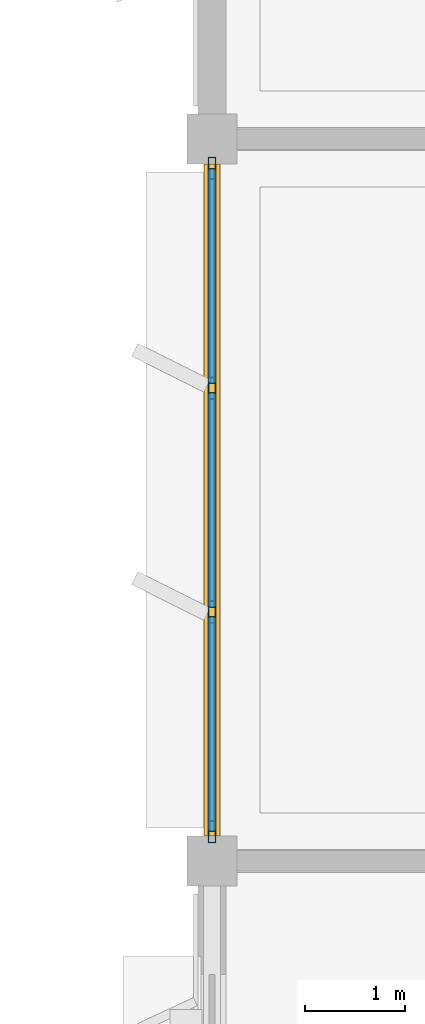
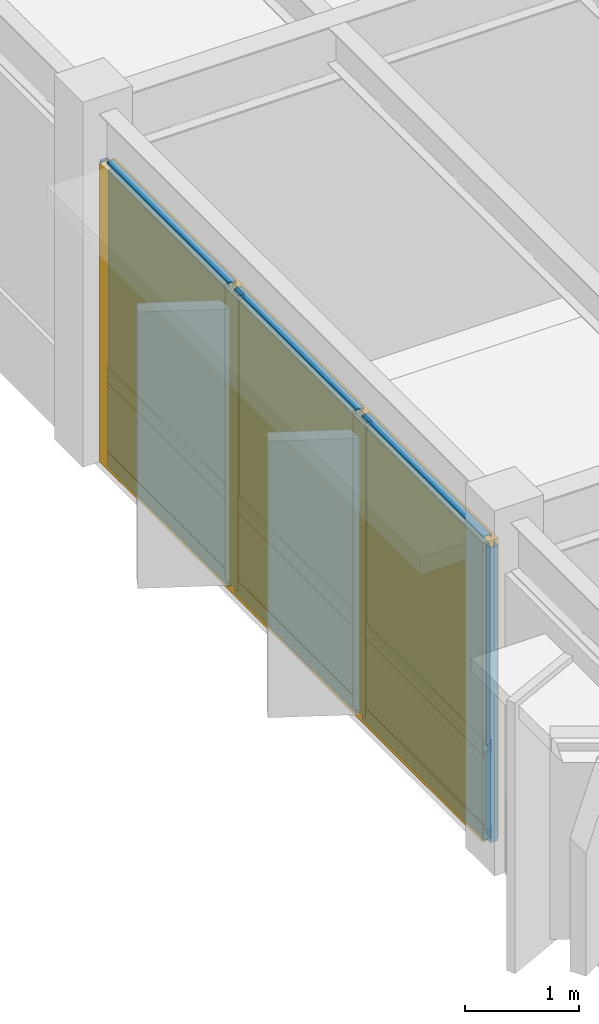
# One storey, part 58 of 82: 13 members, 6 plates, 1 curtain wall.
"""IFC4 building model written with IfcOpenShell, lengths in metres."""

import ifcopenshell
import ifcopenshell.guid

model = None  # the IFC model being written
_history = None  # IfcOwnerHistory: only IFC2X3 demands one
_inside = {}  # id of a spatial element -> (the spatial element, [elements in it])
_under = {}  # id of a project, library or spatial element -> (it, [spatial elements below it])
_declared = {}  # id of a project -> (the project, [libraries it declares])
_typed = {}  # id of a type object -> (the type object, [elements of that type])
_made_of = {}  # id of a material, layer set ... -> (it, [elements and type objects made of it])


def new_model(schema):
    """Start an empty IFC model of exactly this schema.

    Asked for "IFC4X3", IfcOpenShell would pick the latest addendum, in which some entities
    have other attributes; the version numbers below select the first issue.
    IFC2X3 requires an IfcOwnerHistory on every rooted entity: one is made here for all.
    """
    global model, _history
    if schema == "IFC4X3":
        model = ifcopenshell.file(schema_version=(4, 3, 0, 0))
    else:
        model = ifcopenshell.file(schema=schema)
    _inside.clear()
    _under.clear()
    _declared.clear()
    _typed.clear()
    _made_of.clear()
    _history = None
    if model.schema == "IFC2X3":
        org = make("IfcOrganization", Name="unknown")
        user = make(
            "IfcPersonAndOrganization",
            ThePerson=make("IfcPerson", FamilyName="unknown"),
            TheOrganization=org,
        )
        app = make(
            "IfcApplication",
            ApplicationDeveloper=org,
            Version="unknown",
            ApplicationFullName="unknown",
            ApplicationIdentifier="unknown",
        )
        _history = make(
            "IfcOwnerHistory",
            OwningUser=user,
            OwningApplication=app,
            ChangeAction="ADDED",
            CreationDate=0,
        )
    return model


def make(cls, **values):
    """One entity of the class cls with the attributes given. An attribute that is None is left unset."""
    return model.create_entity(
        cls, **{name: value for name, value in values.items() if value is not None}
    )


def rooted(cls, **values):
    """An entity with a GlobalId (a new one), such as an element, a storey or a relation."""
    return make(cls, GlobalId=ifcopenshell.guid.new(), OwnerHistory=_history, **values)


def si_unit(unit_type, name, prefix=None):
    """IfcSIUnit, for example si_unit("LENGTHUNIT", "METRE", prefix="MILLI")."""
    return make("IfcSIUnit", UnitType=unit_type, Prefix=prefix, Name=name)


def assignment(units):
    """IfcUnitAssignment: the units of a project."""
    return None if units is None else make("IfcUnitAssignment", Units=units)


def point(xyz):
    """IfcCartesianPoint."""
    return None if xyz is None else make("IfcCartesianPoint", Coordinates=xyz)


def direction(xyz):
    """IfcDirection."""
    return None if xyz is None else make("IfcDirection", DirectionRatios=xyz)


def frame(location, z_axis=None, x_axis=None):
    """IfcAxis2Placement3D, a coordinate frame: its origin and axes. An axis left out is left unset."""
    return make(
        "IfcAxis2Placement3D",
        Location=point(location),
        Axis=direction(z_axis),
        RefDirection=direction(x_axis),
    )


def frame_2d(location, x_axis=None):
    """IfcAxis2Placement2D, a coordinate frame in the plane: its origin and x axis."""
    return make(
        "IfcAxis2Placement2D", Location=point(location), RefDirection=direction(x_axis)
    )


def origin():
    """The frame at (0, 0, 0) with its axes left unset."""
    return frame((0.0, 0.0, 0.0))


def origin_2d():
    """The frame at (0, 0) in the plane with its x axis left unset."""
    return frame_2d((0.0, 0.0))


def place(relative_to, where):
    """IfcLocalPlacement: puts the frame where relative to a parent placement (None: the world)."""
    return make(
        "IfcLocalPlacement", PlacementRelTo=relative_to, RelativePlacement=where
    )


def context(
    kind, dimensions, precision=None, world=None, true_north=None, identifier=None
):
    """IfcGeometricRepresentationContext, for example the 3D "Model" context."""
    return make(
        "IfcGeometricRepresentationContext",
        ContextIdentifier=identifier,
        ContextType=kind,
        CoordinateSpaceDimension=dimensions,
        Precision=precision,
        WorldCoordinateSystem=world,
        TrueNorth=true_north,
    )


def subcontext(parent, identifier, kind, view, scale=None):
    """IfcGeometricRepresentationSubContext, for example "Body" below "Model"."""
    return make(
        "IfcGeometricRepresentationSubContext",
        ContextIdentifier=identifier,
        ContextType=kind,
        ParentContext=parent,
        TargetScale=scale,
        TargetView=view,
    )


def project(units=None, contexts=None):
    """IfcProject with its units and contexts."""
    return rooted(
        "IfcProject",
        Name="project",
        RepresentationContexts=contexts,
        UnitsInContext=assignment(units),
    )


def spatial(cls, under=None, at=None, **own):
    """A site, building, storey or space (cls), placed at a placement, below another one or the project."""
    s = rooted(cls, ObjectPlacement=at, **own)
    if under is not None:
        _under.setdefault(under.id(), (under, []))[1].append(s)
    return s


def profile(cls, at=None, kind="AREA", **sizes):
    """A parametric profile (cls). Its sizes go by their IFC names, for example OverallWidth=200.0."""
    return make(cls, ProfileType=kind, Position=at, **sizes)


def rectangle(**sizes):
    """IfcRectangleProfileDef."""
    return profile("IfcRectangleProfileDef", **sizes)


def hollow_rectangle(**sizes):
    """IfcRectangleHollowProfileDef."""
    return profile("IfcRectangleHollowProfileDef", **sizes)


def extrude(swept, where, along, depth):
    """IfcExtrudedAreaSolid: the profile swept, set in the frame where, extruded along a direction by depth."""
    return make(
        "IfcExtrudedAreaSolid",
        SweptArea=swept,
        Position=where,
        ExtrudedDirection=direction(along),
        Depth=depth,
    )


def shape(context_of_items, identifier, shape_type, items):
    """IfcShapeRepresentation: the items that make up one representation, for example the "Body"."""
    return make(
        "IfcShapeRepresentation",
        ContextOfItems=context_of_items,
        RepresentationIdentifier=identifier,
        RepresentationType=shape_type,
        Items=items,
    )


def material(Name=None, Category=None):
    """IfcMaterial."""
    return make("IfcMaterial", Name=Name, Category=Category)


def layer(
    of_material, thickness, ventilated=None, Name=None, Category=None, Priority=None
):
    """IfcMaterialLayer: one layer of a wall or slab, of a material (None: an air gap)."""
    return make(
        "IfcMaterialLayer",
        Material=of_material,
        LayerThickness=thickness,
        IsVentilated=ventilated,
        Name=Name,
        Category=Category,
        Priority=Priority,
    )


def layer_set(layers, Name=None):
    """IfcMaterialLayerSet."""
    return make("IfcMaterialLayerSet", MaterialLayers=layers, LayerSetName=Name)


def material_profile(
    of_material, cross_section, Name=None, Category=None, Priority=None
):
    """IfcMaterialProfile: a cross section and its material."""
    return make(
        "IfcMaterialProfile",
        Name=Name,
        Material=of_material,
        Profile=cross_section,
        Priority=Priority,
        Category=Category,
    )


def profile_set(profiles, Name=None, composite=None):
    """IfcMaterialProfileSet."""
    return make(
        "IfcMaterialProfileSet",
        Name=Name,
        MaterialProfiles=profiles,
        CompositeProfile=composite,
    )


def made_of(thing, what):
    """Note that an element or type object is made of a material, layer set ...; save() writes the relation."""
    if what is not None:
        _made_of.setdefault(what.id(), (what, []))[1].append(thing)
    return thing


def type_object(cls, material=None, **own):
    """A type object (cls), such as IfcWallType, which elements share."""
    return made_of(rooted(cls, **own), material)


def element(
    cls,
    number,
    at=None,
    inside=None,
    cuts=None,
    type_object=None,
    material=None,
    context=None,
    identifier="Body",
    shape_type=None,
    held_by="IfcProductDefinitionShape",
    body=None,
    shapes=None,
    **own,
):
    """One element of the class cls, such as IfcWall. Its Tag is "e" and its number.

    at: its placement. inside: the storey or other place that contains it. cuts: it is an
    opening in that element (IfcRelVoidsElement). A single representation is given by context,
    identifier, shape_type and body (its items); several are given by shapes. held_by: the class
    of the entity that holds the representations. save() writes the other relations.
    """
    e = rooted(cls, Tag="e%d" % number, ObjectPlacement=at, **own)
    if body is not None:
        shapes = [shape(context, identifier, shape_type, body)]
    if shapes is not None:
        e.Representation = make(held_by, Representations=shapes)
    if inside is not None:
        _inside.setdefault(inside.id(), (inside, []))[1].append(e)
    if cuts is not None:
        rooted(
            "IfcRelVoidsElement", RelatingBuildingElement=cuts, RelatedOpeningElement=e
        )
    if type_object is not None:
        _typed.setdefault(type_object.id(), (type_object, []))[1].append(e)
    return made_of(e, material)


def aggregate(whole, parts):
    """IfcRelAggregates: a whole, such as a stair, and the parts it consists of."""
    return rooted("IfcRelAggregates", RelatingObject=whole, RelatedObjects=parts)


def save(model, path):
    """Write the relations noted so far, then the file.

    IfcRelAggregates (storeys below a building ...), IfcRelContainedInSpatialStructure (elements
    in a storey), IfcRelDefinesByType, IfcRelAssociatesMaterial and IfcRelDeclares: one each for
    every whole, place, type object, material and project.
    """
    for whole, parts in _under.values():
        aggregate(whole, parts)
    for where, things in _inside.values():
        rooted(
            "IfcRelContainedInSpatialStructure",
            RelatedElements=things,
            RelatingStructure=where,
        )
    for kind, things in _typed.values():
        rooted("IfcRelDefinesByType", RelatedObjects=things, RelatingType=kind)
    for what, things in _made_of.values():
        rooted("IfcRelAssociatesMaterial", RelatedObjects=things, RelatingMaterial=what)
    for by, libraries in _declared.values():
        rooted("IfcRelDeclares", RelatingContext=by, RelatedDefinitions=libraries)
    model.write(path)


model = new_model("IFC4")

# Units and contexts
model_context = context("Model", 3, precision=1e-05, world=origin(), true_north=direction((0.0, 1.0)))
body_context = subcontext(model_context, "Body", "Model", "MODEL_VIEW")
ifc_project = project(units=[si_unit("LENGTHUNIT", "METRE"), si_unit("AREAUNIT", "SQUARE_METRE"), si_unit("VOLUMEUNIT", "CUBIC_METRE"), si_unit("PLANEANGLEUNIT", "RADIAN"), si_unit("MASSUNIT", "GRAM", prefix="KILO")], contexts=[model_context])

# Member
ifc_material_1 = material(Name="Anodized Aluminium 6063-T6", Category="aluminium")
ifc_material_profile_1 = material_profile(ifc_material_1, hollow_rectangle(XDim=0.074951171875, YDim=0.219970703125, WallThickness=0.0048828125, at=origin_2d()), Name="ALU 75x220x5")
ifc_profile_set_1 = profile_set([ifc_material_profile_1], Name="Anodized Aluminium 6063-T6")
member_type_1 = type_object("IfcMemberType", Name="CWM-75X180", PredefinedType="MULLION", material=ifc_profile_set_1)
site_placement = place(None, origin())
building_placement = place(site_placement, origin())
storey_placement = place(building_placement, frame((0.0, 0.0, 14.10009765625)))
member_1_placement = place(storey_placement, frame((43.199951171875, 101.090087890625, 0.02001953125), z_axis=(0.0, 0.0, 1.0), x_axis=(1.0, 0.0, 0.0)))
member_1 = element("IfcMember", 1, at=member_1_placement, type_object=member_type_1, Name="Curtain wall mullion CW-L04-06-14-W-00", PredefinedType="MULLION", context=body_context, shape_type="SweptSolid", body=[
    extrude(hollow_rectangle(XDim=0.074951171875, YDim=0.219970703125, WallThickness=0.0048828125, at=origin_2d()), origin(), (0.0, 0.0, 1.0), 3.15185546875),
])

member_2_placement = place(storey_placement, frame((43.199951171875, 103.283203125, 0.02001953125), z_axis=(0.0, 0.0, 1.0), x_axis=(1.0, 0.0, 0.0)))
member_2 = element("IfcMember", 2, at=member_2_placement, type_object=member_type_1, Name="Curtain wall mullion CW-L04-06-14-W-01", PredefinedType="MULLION", context=body_context, shape_type="SweptSolid", body=[
    extrude(hollow_rectangle(XDim=0.074951171875, YDim=0.219970703125, WallThickness=0.0048828125, at=origin_2d()), origin(), (0.0, 0.0, 1.0), 3.15185546875),
])

member_3_placement = place(storey_placement, frame((43.199951171875, 105.5166015625, 0.02001953125), z_axis=(0.0, 0.0, 1.0), x_axis=(1.0, 0.0, 0.0)))
member_3 = element("IfcMember", 3, at=member_3_placement, type_object=member_type_1, Name="Curtain wall mullion CW-L04-06-14-W-02", PredefinedType="MULLION", context=body_context, shape_type="SweptSolid", body=[
    extrude(hollow_rectangle(XDim=0.074951171875, YDim=0.219970703125, WallThickness=0.0048828125, at=origin_2d()), origin(), (0.0, 0.0, 1.0), 3.15185546875),
])

member_4_placement = place(storey_placement, frame((43.199951171875, 107.7099609375, 0.02001953125), z_axis=(0.0, 0.0, 1.0), x_axis=(1.0, 0.0, 0.0)))
member_4 = element("IfcMember", 4, at=member_4_placement, type_object=member_type_1, Name="Curtain wall mullion CW-L04-06-14-W-03", PredefinedType="MULLION", context=body_context, shape_type="SweptSolid", body=[
    extrude(hollow_rectangle(XDim=0.074951171875, YDim=0.219970703125, WallThickness=0.0048828125, at=origin_2d()), origin(), (0.0, 0.0, 1.0), 3.15185546875),
])

ifc_material_profile_2 = material_profile(ifc_material_1, hollow_rectangle(XDim=0.074951171875, YDim=0.159912109375, WallThickness=0.00390625, at=origin_2d()), Name="ALU 75x160x4")
ifc_profile_set_2 = profile_set([ifc_material_profile_2], Name="Anodized Aluminium 6063-T6")
member_type_2 = type_object("IfcMemberType", Name="CWT-75X150", PredefinedType="USERDEFINED", material=ifc_profile_set_2)
member_5_placement = place(storey_placement, frame((43.199951171875, 101.10009765625, 0.0498046875), z_axis=(0.0, 1.0, 0.0), x_axis=(-1.0, 0.0, 0.0)))
member_5 = element("IfcMember", 5, at=member_5_placement, type_object=member_type_2, Name="Curtain wall transom CW-L04-06-14-W-1.01", ObjectType="TRANSOM", PredefinedType="USERDEFINED", context=body_context, shape_type="SweptSolid", body=[
    extrude(hollow_rectangle(XDim=0.074951171875, YDim=0.159912109375, WallThickness=0.00390625, at=origin_2d()), origin(), (0.0, 0.0, 1.0), 2.13330078125),
])

member_6_placement = place(storey_placement, frame((43.199951171875, 103.333251953125, 0.0498046875), z_axis=(0.0, 1.0, 0.0), x_axis=(-1.0, 0.0, 0.0)))
member_6 = element("IfcMember", 6, at=member_6_placement, type_object=member_type_2, Name="Curtain wall transom CW-L04-06-14-W-1.02", ObjectType="TRANSOM", PredefinedType="USERDEFINED", context=body_context, shape_type="SweptSolid", body=[
    extrude(hollow_rectangle(XDim=0.074951171875, YDim=0.159912109375, WallThickness=0.00390625, at=origin_2d()), origin(), (0.0, 0.0, 1.0), 2.133544921875),
])

member_7_placement = place(storey_placement, frame((43.199951171875, 105.566650390625, 0.0498046875), z_axis=(0.0, 1.0, 0.0), x_axis=(-1.0, 0.0, 0.0)))
member_7 = element("IfcMember", 7, at=member_7_placement, type_object=member_type_2, Name="Curtain wall transom CW-L04-06-14-W-1.03", ObjectType="TRANSOM", PredefinedType="USERDEFINED", context=body_context, shape_type="SweptSolid", body=[
    extrude(hollow_rectangle(XDim=0.074951171875, YDim=0.159912109375, WallThickness=0.00390625, at=origin_2d()), origin(), (0.0, 0.0, 1.0), 2.13330078125),
])

member_8_placement = place(storey_placement, frame((43.199951171875, 101.10009765625, 0.949951171875), z_axis=(0.0, 1.0, 0.0), x_axis=(-1.0, 0.0, 0.0)))
member_8 = element("IfcMember", 8, at=member_8_placement, type_object=member_type_2, Name="Curtain wall transom CW-L04-06-14-W-2.01", ObjectType="TRANSOM", PredefinedType="USERDEFINED", context=body_context, shape_type="SweptSolid", body=[
    extrude(hollow_rectangle(XDim=0.074951171875, YDim=0.159912109375, WallThickness=0.00390625, at=origin_2d()), origin(), (0.0, 0.0, 1.0), 2.13330078125),
])

member_9_placement = place(storey_placement, frame((43.199951171875, 103.333251953125, 0.949951171875), z_axis=(0.0, 1.0, 0.0), x_axis=(-1.0, 0.0, 0.0)))
member_9 = element("IfcMember", 9, at=member_9_placement, type_object=member_type_2, Name="Curtain wall transom CW-L04-06-14-W-2.02", ObjectType="TRANSOM", PredefinedType="USERDEFINED", context=body_context, shape_type="SweptSolid", body=[
    extrude(hollow_rectangle(XDim=0.074951171875, YDim=0.159912109375, WallThickness=0.00390625, at=origin_2d()), origin(), (0.0, 0.0, 1.0), 2.133544921875),
])

member_10_placement = place(storey_placement, frame((43.199951171875, 105.566650390625, 0.949951171875), z_axis=(0.0, 1.0, 0.0), x_axis=(-1.0, 0.0, 0.0)))
member_10 = element("IfcMember", 10, at=member_10_placement, type_object=member_type_2, Name="Curtain wall transom CW-L04-06-14-W-2.03", ObjectType="TRANSOM", PredefinedType="USERDEFINED", context=body_context, shape_type="SweptSolid", body=[
    extrude(hollow_rectangle(XDim=0.074951171875, YDim=0.159912109375, WallThickness=0.00390625, at=origin_2d()), origin(), (0.0, 0.0, 1.0), 2.13330078125),
])

member_11_placement = place(storey_placement, frame((43.199951171875, 101.10009765625, 3.141845703125), z_axis=(0.0, 1.0, 0.0), x_axis=(-1.0, 0.0, 0.0)))
member_11 = element("IfcMember", 11, at=member_11_placement, type_object=member_type_2, Name="Curtain wall transom CW-L04-06-14-W-3.01", ObjectType="TRANSOM", PredefinedType="USERDEFINED", context=body_context, shape_type="SweptSolid", body=[
    extrude(hollow_rectangle(XDim=0.074951171875, YDim=0.159912109375, WallThickness=0.00390625, at=origin_2d()), origin(), (0.0, 0.0, 1.0), 2.13330078125),
])

member_12_placement = place(storey_placement, frame((43.199951171875, 103.333251953125, 3.141845703125), z_axis=(0.0, 1.0, 0.0), x_axis=(-1.0, 0.0, 0.0)))
member_12 = element("IfcMember", 12, at=member_12_placement, type_object=member_type_2, Name="Curtain wall transom CW-L04-06-14-W-3.02", ObjectType="TRANSOM", PredefinedType="USERDEFINED", context=body_context, shape_type="SweptSolid", body=[
    extrude(hollow_rectangle(XDim=0.074951171875, YDim=0.159912109375, WallThickness=0.00390625, at=origin_2d()), origin(), (0.0, 0.0, 1.0), 2.133544921875),
])

member_13_placement = place(storey_placement, frame((43.199951171875, 105.566650390625, 3.141845703125), z_axis=(0.0, 1.0, 0.0), x_axis=(-1.0, 0.0, 0.0)))
member_13 = element("IfcMember", 13, at=member_13_placement, type_object=member_type_2, Name="Curtain wall transom CW-L04-06-14-W-3.03", ObjectType="TRANSOM", PredefinedType="USERDEFINED", context=body_context, shape_type="SweptSolid", body=[
    extrude(hollow_rectangle(XDim=0.074951171875, YDim=0.159912109375, WallThickness=0.00390625, at=origin_2d()), origin(), (0.0, 0.0, 1.0), 2.13330078125),
])

# Plate
ifc_material_2 = material(Name="Acoustic Laminated Low-E Glazing", Category="glass")
ifc_layer_1 = layer(ifc_material_2, 0.0439453125)
ifc_layer_set_1 = layer_set([ifc_layer_1], Name="Acoustic Laminated Low-E Glazing")
plate_type_1 = type_object("IfcPlateType", Name="CWP-IGU-44", PredefinedType="CURTAIN_PANEL", material=ifc_layer_set_1)
plate_1_placement = place(storey_placement, frame((43.199951171875, 102.166748046875, 0.98974609375), z_axis=(0.0, 0.0, 1.0), x_axis=(0.0, 1.0, 0.0)))
plate_1 = element("IfcPlate", 14, at=plate_1_placement, type_object=plate_type_1, Name="Curtain wall vision glazing CW-L04-06-14-W-01", PredefinedType="CURTAIN_PANEL", context=body_context, shape_type="SweptSolid", body=[
    extrude(rectangle(XDim=2.143310546875, YDim=0.0400390625, at=origin_2d()), origin(), (0.0, 0.0, 1.0), 2.14208984375),
])

plate_2_placement = place(storey_placement, frame((43.199951171875, 104.39990234375, 0.98974609375), z_axis=(0.0, 0.0, 1.0), x_axis=(0.0, 1.0, 0.0)))
plate_2 = element("IfcPlate", 15, at=plate_2_placement, type_object=plate_type_1, Name="Curtain wall vision glazing CW-L04-06-14-W-02", PredefinedType="CURTAIN_PANEL", context=body_context, shape_type="SweptSolid", body=[
    extrude(rectangle(XDim=2.143310546875, YDim=0.0400390625, at=origin_2d()), origin(), (0.0, 0.0, 1.0), 2.14208984375),
])

plate_3_placement = place(storey_placement, frame((43.199951171875, 106.63330078125, 0.98974609375), z_axis=(0.0, 0.0, 1.0), x_axis=(0.0, 1.0, 0.0)))
plate_3 = element("IfcPlate", 16, at=plate_3_placement, type_object=plate_type_1, Name="Curtain wall vision glazing CW-L04-06-14-W-03", PredefinedType="CURTAIN_PANEL", context=body_context, shape_type="SweptSolid", body=[
    extrude(rectangle(XDim=2.143310546875, YDim=0.0400390625, at=origin_2d()), origin(), (0.0, 0.0, 1.0), 2.14208984375),
])

ifc_material_3 = material(Name="Insulated Stone-Composite Spandrel", Category="masonry")
ifc_layer_2 = layer(ifc_material_3, 0.068115234375)
ifc_layer_set_2 = layer_set([ifc_layer_2], Name="Insulated Stone-Composite Spandrel")
plate_type_2 = type_object("IfcPlateType", Name="CWP-SPN-68", PredefinedType="CURTAIN_PANEL", material=ifc_layer_set_2)
plate_4_placement = place(storey_placement, frame((43.199951171875, 102.166748046875, 0.080078125), z_axis=(0.0, 0.0, 1.0), x_axis=(0.0, 1.0, 0.0)))
plate_4 = element("IfcPlate", 17, at=plate_4_placement, type_object=plate_type_2, Name="Curtain wall spandrel panel CW-L04-06-14-W-01", PredefinedType="CURTAIN_PANEL", context=body_context, shape_type="SweptSolid", body=[
    extrude(rectangle(XDim=2.143310546875, YDim=0.06005859375, at=origin_2d()), origin(), (0.0, 0.0, 1.0), 0.840087890625),
])

plate_5_placement = place(storey_placement, frame((43.199951171875, 104.39990234375, 0.080078125), z_axis=(0.0, 0.0, 1.0), x_axis=(0.0, 1.0, 0.0)))
plate_5 = element("IfcPlate", 18, at=plate_5_placement, type_object=plate_type_2, Name="Curtain wall spandrel panel CW-L04-06-14-W-02", PredefinedType="CURTAIN_PANEL", context=body_context, shape_type="SweptSolid", body=[
    extrude(rectangle(XDim=2.143310546875, YDim=0.06005859375, at=origin_2d()), origin(), (0.0, 0.0, 1.0), 0.840087890625),
])

plate_6_placement = place(storey_placement, frame((43.199951171875, 106.63330078125, 0.080078125), z_axis=(0.0, 0.0, 1.0), x_axis=(0.0, 1.0, 0.0)))
plate_6 = element("IfcPlate", 19, at=plate_6_placement, type_object=plate_type_2, Name="Curtain wall spandrel panel CW-L04-06-14-W-03", PredefinedType="CURTAIN_PANEL", context=body_context, shape_type="SweptSolid", body=[
    extrude(rectangle(XDim=2.143310546875, YDim=0.06005859375, at=origin_2d()), origin(), (0.0, 0.0, 1.0), 0.840087890625),
])

# Site, building, storey
site = spatial("IfcSite", under=ifc_project, at=site_placement, CompositionType="ELEMENT")
building = spatial("IfcBuilding", under=site, at=building_placement, Name="Sillqori Civic Hall", CompositionType="ELEMENT")
storey = spatial("IfcBuildingStorey", under=building, at=storey_placement, Name="L04", CompositionType="ELEMENT", Elevation=14.10009765625)

# Curtain wall
ifc_material_4 = material(Name="Anodized Aluminium Curtain Wall System", Category="aluminium")
curtain_wall_type = type_object("IfcCurtainWallType", Name="CW-AD-370", PredefinedType="NOTDEFINED", material=ifc_material_4)
curtain_wall_placement = place(storey_placement, frame((43.199951171875, 104.39990234375, 0.0), z_axis=(0.0, 0.0, 1.0), x_axis=(0.0, 1.0, 0.0)))
curtain_wall = element("IfcCurtainWall", 20, at=curtain_wall_placement, inside=storey, type_object=curtain_wall_type, Name="L04 unitised curtain wall CW-L04-06-14-W", PredefinedType="NOTDEFINED", context=body_context, shape_type="SweptSolid", body=[
    extrude(rectangle(XDim=6.699951171875, YDim=0.159912109375, at=origin_2d()), origin(), (0.0, 0.0, 1.0), 3.19189453125),
])

aggregate(curtain_wall, [member_1, member_2, member_3, member_4, member_5, member_6, member_7, member_8, member_9, member_10, member_11, member_12, member_13, plate_4, plate_1, plate_5, plate_2, plate_6, plate_3])

save(model, "model.ifc")
